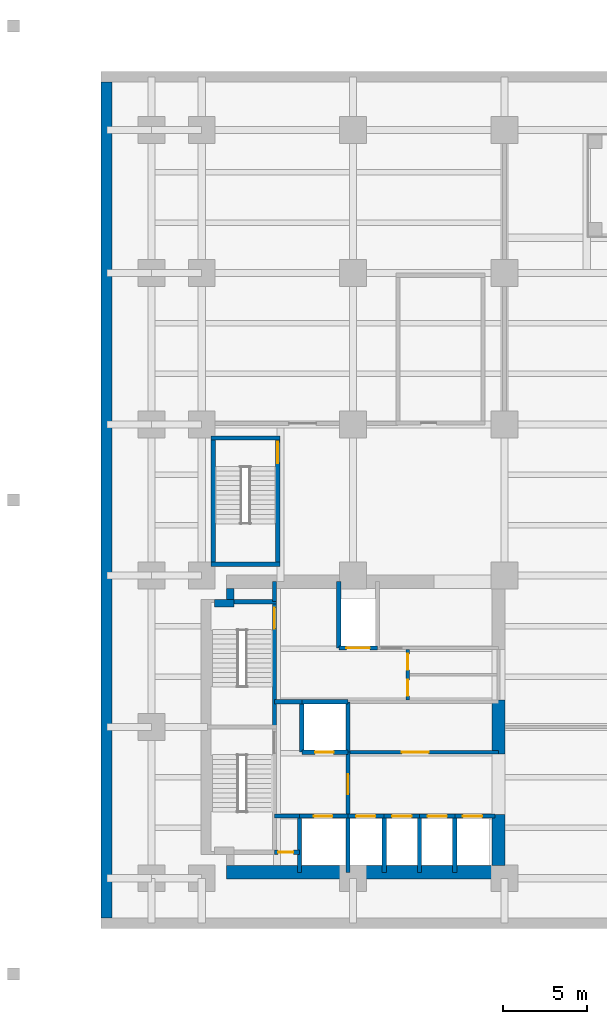
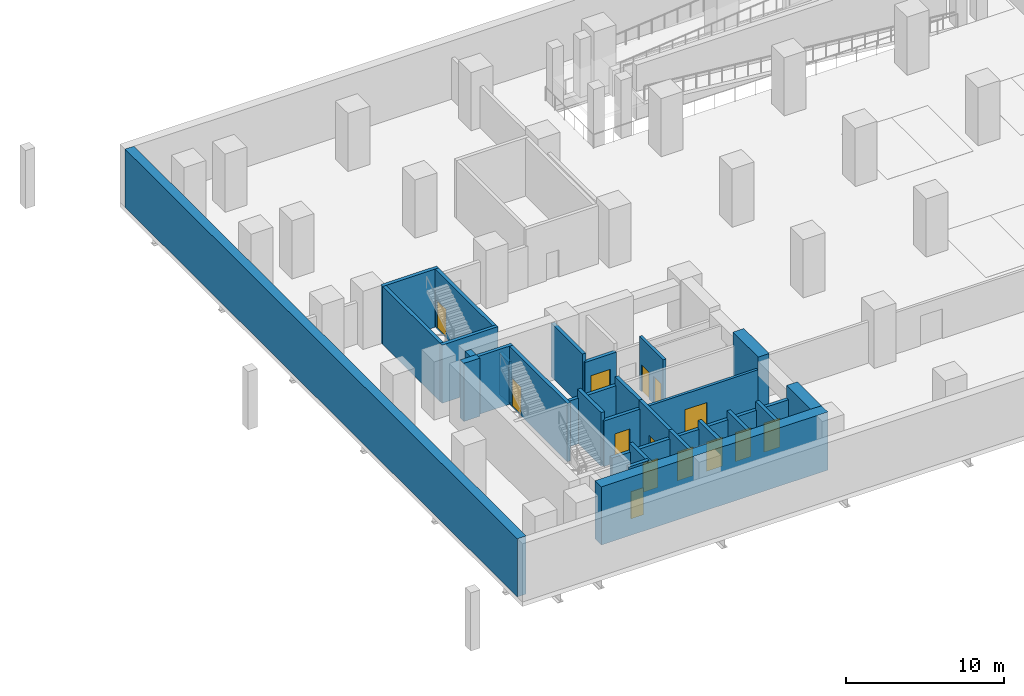
# One storey, part 5 of 10: 35 walls, 14 doors, 14 openings.
"""IFC4 building model written with IfcOpenShell, lengths in metres."""

from ifc_helpers import new_model, si_unit, direction, frame, frame_2d, origin, place, context, subcontext, project, spatial, rectangle, extrude, material, layer, layer_set, type_object, element, fill, save


model = new_model("IFC4")

# Units and contexts
model_context = context("Model", 3, precision=1e-05, world=origin(), true_north=direction((0.0, 1.0)))
body_context = subcontext(model_context, "Body", "Model", "MODEL_VIEW")
ifc_project = project(units=[si_unit("LENGTHUNIT", "METRE"), si_unit("AREAUNIT", "SQUARE_METRE"), si_unit("VOLUMEUNIT", "CUBIC_METRE"), si_unit("PLANEANGLEUNIT", "RADIAN"), si_unit("MASSUNIT", "GRAM", prefix="KILO")], contexts=[model_context])

# Site, building, storey
site_placement = place(None, origin())
site = spatial("IfcSite", under=ifc_project, at=site_placement, CompositionType="ELEMENT")
building_placement = place(site_placement, origin())
building = spatial("IfcBuilding", under=site, at=building_placement, Name="Mawjdan Bourse Tower", CompositionType="ELEMENT")
storey_placement = place(building_placement, frame((0.0, 0.0, -9.0)))
storey = spatial("IfcBuildingStorey", under=building, at=storey_placement, Name="B02", CompositionType="ELEMENT", Elevation=-9.0)

# Wall, opening, door
ifc_material_1 = material(Name="Gypsum Fireboard Assembly")
ifc_layer_1 = layer(ifc_material_1, 0.199951171875)
ifc_layer_set_1 = layer_set([ifc_layer_1], Name="Gypsum Fireboard Assembly")
wall_type_1 = type_object("IfcWallType", Name="WL-CMP-200", PredefinedType="PARTITIONING", material=ifc_layer_set_1)
wall_1_placement = place(storey_placement, frame((14.699951171875, 10.5, 0.0), z_axis=(0.0, 0.0, 1.0), x_axis=(1.0, 0.0, 0.0)))
wall_1 = element("IfcWall", 1, at=wall_1_placement, inside=storey, type_object=wall_type_1, Name="B02 Basement Switchroom South Wall", PredefinedType="PARTITIONING", context=body_context, shape_type="SweptSolid", body=[
    extrude(rectangle(XDim=8.949951171875, YDim=0.199951171875, at=frame_2d((4.47509765625, 0.0))), origin(), (0.0, 0.0, 1.0), 3.52294921875),
])
opening_1_placement = place(wall_1_placement, frame((3.199951171875, 0.0, 0.0)))
opening_1 = element("IfcOpeningElement", 2, at=opening_1_placement, cuts=wall_1, Name="Opening PD-B02-15", PredefinedType="OPENING", context=body_context, shape_type="SweptSolid", body=[
    extrude(rectangle(XDim=1.60009765625, YDim=2.300048828125, at=frame_2d((0.800048828125, 1.14990234375))), frame((0.0, 0.10986328125, 0.0), z_axis=(0.0, -1.0, 0.0), x_axis=(1.0, 0.0, 0.0)), (0.0, 0.0, 1.0), 0.219970703125),
])
ifc_material_2 = material(Name="Fire-Rated Acoustic Steel", Category="steel")
door_type_1 = type_object("IfcDoorType", Name="FD-PLT-1600", OperationType="DOUBLE_DOOR_SINGLE_SWING", PredefinedType="DOOR", material=ifc_material_2)
door_1_placement = place(opening_1_placement, frame((1.60009765625, 0.0, 0.0), z_axis=(0.0, 0.0, 1.0), x_axis=(-1.0, 0.0, 0.0)))
door_1 = element("IfcDoor", 3, at=door_1_placement, inside=storey, type_object=door_type_1, Name="B02 LV Switchroom Door PD-B02-15", OperationType="DOUBLE_DOOR_SINGLE_SWING", OverallHeight=2.300048828125, OverallWidth=1.60009765625, PredefinedType="DOOR", context=body_context, shape_type="SweptSolid", body=[
    extrude(rectangle(XDim=1.60009765625, YDim=2.300048828125, at=frame_2d((0.800048828125, 1.14990234375))), frame((0.0, 0.02490234375, 0.0), z_axis=(0.0, -1.0, 0.0), x_axis=(1.0, 0.0, 0.0)), (0.0, 0.0, 1.0), 0.050048828125),
])
fill(opening_1, door_1)

# Wall, openings, doors
wall_2_placement = place(storey_placement, frame((18.25, 13.60009765625, 0.0), z_axis=(0.0, 0.0, 1.0), x_axis=(0.0, 1.0, 0.0)))
wall_2 = element("IfcWall", 4, at=wall_2_placement, inside=storey, type_object=wall_type_1, Name="B02 Core Restroom West Wall", PredefinedType="PARTITIONING", context=body_context, shape_type="SweptSolid", body=[
    extrude(rectangle(XDim=3.0, YDim=0.199951171875, at=frame_2d((1.5, 0.0))), origin(), (0.0, 0.0, 1.0), 4.139892578125),
])
opening_2_placement = place(wall_2_placement, frame((0.25, 0.0, 0.0)))
opening_2 = element("IfcOpeningElement", 5, at=opening_2_placement, cuts=wall_2, Name="Opening D-B02-16", PredefinedType="OPENING", context=body_context, shape_type="SweptSolid", body=[
    extrude(rectangle(XDim=0.949951171875, YDim=2.10009765625, at=frame_2d((0.47509765625, 1.050048828125))), frame((0.0, 0.10986328125, 0.0), z_axis=(0.0, -1.0, 0.0), x_axis=(1.0, 0.0, 0.0)), (0.0, 0.0, 1.0), 0.219970703125),
])
opening_3_placement = place(wall_2_placement, frame((1.800048828125, 0.0, 0.0)))
opening_3 = element("IfcOpeningElement", 6, at=opening_3_placement, cuts=wall_2, Name="Opening D-B02-17", PredefinedType="OPENING", context=body_context, shape_type="SweptSolid", body=[
    extrude(rectangle(XDim=0.949951171875, YDim=2.10009765625, at=frame_2d((0.47509765625, 1.050048828125))), frame((0.0, 0.10986328125, 0.0), z_axis=(0.0, -1.0, 0.0), x_axis=(1.0, 0.0, 0.0)), (0.0, 0.0, 1.0), 0.219970703125),
])
ifc_material_3 = material(Name="Moisture-Resistant Laminate Timber", Category="wood")
door_type_2 = type_object("IfcDoorType", Name="DR-WET-0950", OperationType="NOTDEFINED", PredefinedType="DOOR", material=ifc_material_3)
door_2_placement = place(opening_2_placement, origin())
door_2 = element("IfcDoor", 7, at=door_2_placement, inside=storey, type_object=door_type_2, Name="B02 Accessible WC Entry Door D-B02-16", OperationType="SINGLE_SWING_RIGHT", OverallHeight=2.10009765625, OverallWidth=0.949951171875, PredefinedType="DOOR", context=body_context, shape_type="SweptSolid", body=[
    extrude(rectangle(XDim=0.949951171875, YDim=2.10009765625, at=frame_2d((0.47509765625, 1.050048828125))), frame((0.0, 0.02490234375, 0.0), z_axis=(0.0, -1.0, 0.0), x_axis=(1.0, 0.0, 0.0)), (0.0, 0.0, 1.0), 0.050048828125),
])
fill(opening_2, door_2)
door_3_placement = place(opening_3_placement, origin())
door_3 = element("IfcDoor", 8, at=door_3_placement, inside=storey, type_object=door_type_2, Name="B02 Core Restroom Entry Door D-B02-17", OperationType="SINGLE_SWING_LEFT", OverallHeight=2.10009765625, OverallWidth=0.949951171875, PredefinedType="DOOR", context=body_context, shape_type="SweptSolid", body=[
    extrude(rectangle(XDim=0.949951171875, YDim=2.10009765625, at=frame_2d((0.47509765625, 1.050048828125))), frame((0.0, 0.02490234375, 0.0), z_axis=(0.0, -1.0, 0.0), x_axis=(1.0, 0.0, 0.0)), (0.0, 0.0, 1.0), 0.050048828125),
])
fill(opening_3, door_3)

# Walls
ifc_material_4 = material(Name="Concrete C60/75", Category="concrete")
ifc_layer_2 = layer(ifc_material_4, 0.449951171875)
ifc_layer_set_2 = layer_set([ifc_layer_2], Name="Concrete C60/75")
wall_type_2 = type_object("IfcWallType", Name="WL-CORE-450", PredefinedType="SHEAR", material=ifc_layer_set_2)
wall_3_placement = place(storey_placement, frame((6.75, 19.35009765625, 0.0), z_axis=(0.0, 0.0, 1.0), x_axis=(1.0, 0.0, 0.0)))
element("IfcWall", 9, at=wall_3_placement, inside=storey, type_object=wall_type_2, Name="B02 Rear Core Shear Wall NW-X", PredefinedType="SHEAR", context=body_context, shape_type="SweptSolid", body=[
    extrude(rectangle(XDim=1.175048828125, YDim=0.449951171875, at=frame_2d((0.58740234375, 0.0))), origin(), (0.0, 0.0, 1.0), 4.5),
])
wall_4_placement = place(storey_placement, frame((7.699951171875, 19.574951171875, 0.0), z_axis=(0.0, 0.0, 1.0), x_axis=(0.0, 1.0, 0.0)))
element("IfcWall", 10, at=wall_4_placement, inside=storey, type_object=wall_type_2, Name="B02 Rear Core Shear Wall NW-Y", PredefinedType="SHEAR", context=body_context, shape_type="SweptSolid", body=[
    extrude(rectangle(XDim=0.675048828125, YDim=0.449951171875, at=frame_2d((0.33740234375, 0.0))), origin(), (0.0, 0.0, 1.0), 4.5),
])
ifc_material_5 = material(Name="Concrete C80/95", Category="concrete")
ifc_layer_3 = layer(ifc_material_5, 0.800048828125)
ifc_layer_set_3 = layer_set([ifc_layer_3], Name="Concrete C80/95")
wall_type_3 = type_object("IfcWallType", Name="WL-CORE-800", PredefinedType="SHEAR", material=ifc_layer_set_3)
wall_5_placement = place(storey_placement, frame((7.47509765625, 3.35009765625, 0.0), z_axis=(0.0, 0.0, 1.0), x_axis=(1.0, 0.0, 0.0)))
element("IfcWall", 11, at=wall_5_placement, inside=storey, type_object=wall_type_3, Name="B02 Rear Core Shear Wall S", PredefinedType="SHEAR", context=body_context, shape_type="SweptSolid", body=[
    extrude(rectangle(XDim=16.574951171875, YDim=0.800048828125, at=frame_2d((8.28759765625, 0.0))), origin(), (0.0, 0.0, 1.0), 4.5),
])
wall_6_placement = place(storey_placement, frame((23.64990234375, 3.75, 0.0), z_axis=(0.0, 0.0, 1.0), x_axis=(0.0, 1.0, 0.0)))
element("IfcWall", 12, at=wall_6_placement, inside=storey, type_object=wall_type_3, Name="B02 Rear Core Shear Wall E1", PredefinedType="SHEAR", context=body_context, shape_type="SweptSolid", body=[
    extrude(rectangle(XDim=3.050048828125, YDim=0.800048828125, at=frame_2d((1.52490234375, 0.0))), origin(), (0.0, 0.0, 1.0), 4.5),
])
wall_7_placement = place(storey_placement, frame((23.64990234375, 10.39990234375, 0.0), z_axis=(0.0, 0.0, 1.0), x_axis=(0.0, 1.0, 0.0)))
element("IfcWall", 13, at=wall_7_placement, inside=storey, type_object=wall_type_3, Name="B02 Rear Core Shear Wall E2", PredefinedType="SHEAR", context=body_context, shape_type="SweptSolid", body=[
    extrude(rectangle(XDim=3.2001953125, YDim=0.800048828125, at=frame_2d((1.60009765625, 0.0))), origin(), (0.0, 0.0, 1.0), 4.5),
])
ifc_layer_4 = layer(ifc_material_4, 0.64990234375)
ifc_layer_set_4 = layer_set([ifc_layer_4], Name="Concrete C60/75")
wall_type_4 = type_object("IfcWallType", Name="WL-RET-650", PredefinedType="USERDEFINED", material=ifc_layer_set_4)
wall_8_placement = place(storey_placement, frame((0.324951171875, 50.35009765625, 0.0), z_axis=(0.0, 0.0, 1.0), x_axis=(0.0, -1.0, 0.0)))
element("IfcWall", 14, at=wall_8_placement, inside=storey, type_object=wall_type_4, Name="B02 Perimeter Diaphragm Retaining Wall W", ObjectType="RETAINING", PredefinedType="USERDEFINED", context=body_context, shape_type="SweptSolid", body=[
    extrude(rectangle(XDim=49.7001953125, YDim=0.64990234375, at=frame_2d((24.85009765625, 0.0))), origin(), (0.0, 0.0, 1.0), 4.5),
])

# Wall, opening, door
ifc_material_6 = material(Name="Concrete C50/60", Category="concrete")
ifc_layer_5 = layer(ifc_material_6, 0.25)
ifc_layer_set_5 = layer_set([ifc_layer_5], Name="Concrete C50/60")
wall_type_5 = type_object("IfcWallType", Name="WL-SHFT-250", PredefinedType="PARTITIONING", material=ifc_layer_set_5)
wall_9_placement = place(storey_placement, frame((10.330078125, 4.550048828125, 0.0), z_axis=(0.0, 0.0, 1.0), x_axis=(1.0, 0.0, 0.0)))
wall_9 = element("IfcWall", 15, at=wall_9_placement, inside=storey, type_object=wall_type_5, Name="B02 SW Riser North Wall", PredefinedType="PARTITIONING", context=body_context, shape_type="SweptSolid", body=[
    extrude(rectangle(XDim=1.489990234375, YDim=0.25, at=frame_2d((0.7451171875, 0.0))), origin(), (0.0, 0.0, 1.0), 4.139892578125),
])
opening_4_placement = place(wall_9_placement, frame((0.219970703125, 0.0, 0.0)))
opening_4 = element("IfcOpeningElement", 16, at=opening_4_placement, cuts=wall_9, Name="Opening RD-B02-03", PredefinedType="OPENING", context=body_context, shape_type="SweptSolid", body=[
    extrude(rectangle(XDim=0.89990234375, YDim=2.10009765625, at=frame_2d((0.449951171875, 1.050048828125))), frame((0.0, 0.135009765625, 0.0), z_axis=(0.0, -1.0, 0.0), x_axis=(1.0, 0.0, 0.0)), (0.0, 0.0, 1.0), 0.27001953125),
])
ifc_material_7 = material(Name="Fire-Rated Steel Access Leaf", Category="steel")
door_type_3 = type_object("IfcDoorType", Name="FD-RSR-0900", OperationType="NOTDEFINED", PredefinedType="TRAPDOOR", material=ifc_material_7)
door_4_placement = place(opening_4_placement, origin())
door_4 = element("IfcDoor", 17, at=door_4_placement, inside=storey, type_object=door_type_3, Name="B02 Electrical Riser Access Door RD-B02-03", OperationType="SINGLE_SWING_LEFT", OverallHeight=2.10009765625, OverallWidth=0.89990234375, PredefinedType="TRAPDOOR", context=body_context, shape_type="SweptSolid", body=[
    extrude(rectangle(XDim=0.89990234375, YDim=2.10009765625, at=frame_2d((0.449951171875, 1.050048828125))), frame((0.0, 0.02490234375, 0.0), z_axis=(0.0, -1.0, 0.0), x_axis=(1.0, 0.0, 0.0)), (0.0, 0.0, 1.0), 0.050048828125),
])
fill(opening_4, door_4)

# Walls
wall_10_placement = place(storey_placement, frame((11.820068359375, 3.35009765625, 0.0), z_axis=(0.0, 0.0, 1.0), x_axis=(0.0, 1.0, 0.0)))
element("IfcWall", 18, at=wall_10_placement, inside=storey, type_object=wall_type_5, Name="B02 SW Riser & FFL01 West Wall", PredefinedType="PARTITIONING", context=body_context, shape_type="SweptSolid", body=[
    extrude(rectangle(XDim=3.349853515625, YDim=0.25, at=frame_2d((1.6748046875, 0.0))), origin(), (0.0, 0.0, 1.0), 4.139892578125),
])
wall_11_placement = place(storey_placement, frame((10.330078125, 19.449951171875, 0.0), z_axis=(0.0, 0.0, 1.0), x_axis=(0.0, 1.0, 0.0)))
element("IfcWall", 19, at=wall_11_placement, inside=storey, type_object=wall_type_5, Name="B02 NW Riser East Wall", PredefinedType="PARTITIONING", context=body_context, shape_type="SweptSolid", body=[
    extrude(rectangle(XDim=1.199951171875, YDim=0.25, at=frame_2d((0.60009765625, 0.0))), origin(), (0.0, 0.0, 1.0), 3.199951171875),
])

# Wall, opening, door
wall_12_placement = place(storey_placement, frame((11.820068359375, 6.699951171875, 0.0), z_axis=(0.0, 0.0, 1.0), x_axis=(1.0, 0.0, 0.0)))
wall_12 = element("IfcWall", 20, at=wall_12_placement, inside=storey, type_object=wall_type_5, Name="B02 FFL-01 Front Shaft Wall", PredefinedType="PARTITIONING", context=body_context, shape_type="SweptSolid", body=[
    extrude(rectangle(XDim=2.8798828125, YDim=0.25, at=frame_2d((1.43994140625, 0.0))), origin(), (0.0, 0.0, 1.0), 3.52294921875),
])
opening_5_placement = place(wall_12_placement, frame((0.85009765625, 0.0, 0.0)))
opening_5 = element("IfcOpeningElement", 21, at=opening_5_placement, cuts=wall_12, Name="Opening LD-B02-05", PredefinedType="OPENING", context=body_context, shape_type="SweptSolid", body=[
    extrude(rectangle(XDim=1.10009765625, YDim=2.25, at=frame_2d((0.550048828125, 1.125))), frame((0.0, 0.135009765625, 0.0), z_axis=(0.0, -1.0, 0.0), x_axis=(1.0, 0.0, 0.0)), (0.0, 0.0, 1.0), 0.27001953125),
])
ifc_material_8 = material(Name="Brushed Stainless Steel", Category="steel")
door_type_4 = type_object("IfcDoorType", Name="LD-FFL-1100", OperationType="DOUBLE_DOOR_SLIDING", PredefinedType="DOOR", material=ifc_material_8)
door_5_placement = place(opening_5_placement, origin())
door_5 = element("IfcDoor", 22, at=door_5_placement, inside=storey, type_object=door_type_4, Name="B02 Firefighting Lift FFL-01 Landing Door LD-B02-05", OperationType="DOUBLE_DOOR_SLIDING", OverallHeight=2.25, OverallWidth=1.10009765625, PredefinedType="DOOR", context=body_context, shape_type="SweptSolid", body=[
    extrude(rectangle(XDim=1.10009765625, YDim=2.25, at=frame_2d((0.550048828125, 1.125))), frame((0.0, 0.02490234375, 0.0), z_axis=(0.0, -1.0, 0.0), x_axis=(1.0, 0.0, 0.0)), (0.0, 0.0, 1.0), 0.050048828125),
])
fill(opening_5, door_5)

# Wall
wall_13_placement = place(storey_placement, frame((14.699951171875, 3.35009765625, 0.0), z_axis=(0.0, 0.0, 1.0), x_axis=(0.0, 1.0, 0.0)))
element("IfcWall", 23, at=wall_13_placement, inside=storey, type_object=wall_type_5, Name="B02 FFL-01 East Shaft Wall", PredefinedType="PARTITIONING", context=body_context, shape_type="SweptSolid", body=[
    extrude(rectangle(XDim=3.349853515625, YDim=0.25, at=frame_2d((1.6748046875, 0.0))), origin(), (0.0, 0.0, 1.0), 4.139892578125),
])

# Wall, opening, door
wall_14_placement = place(storey_placement, frame((11.949951171875, 10.5, 0.0), z_axis=(0.0, 0.0, 1.0), x_axis=(1.0, 0.0, 0.0)))
wall_14 = element("IfcWall", 24, at=wall_14_placement, inside=storey, type_object=wall_type_5, Name="B02 FFL-02 Front Shaft Wall", PredefinedType="PARTITIONING", context=body_context, shape_type="SweptSolid", body=[
    extrude(rectangle(XDim=2.75, YDim=0.25, at=frame_2d((1.375, 0.0))), origin(), (0.0, 0.0, 1.0), 3.52294921875),
])
opening_6_placement = place(wall_14_placement, frame((0.800048828125, 0.0, 0.0)))
opening_6 = element("IfcOpeningElement", 25, at=opening_6_placement, cuts=wall_14, Name="Opening LD-B02-06", PredefinedType="OPENING", context=body_context, shape_type="SweptSolid", body=[
    extrude(rectangle(XDim=1.10009765625, YDim=2.25, at=frame_2d((0.550048828125, 1.125))), frame((0.0, 0.135009765625, 0.0), z_axis=(0.0, -1.0, 0.0), x_axis=(1.0, 0.0, 0.0)), (0.0, 0.0, 1.0), 0.27001953125),
])
door_6_placement = place(opening_6_placement, origin())
door_6 = element("IfcDoor", 26, at=door_6_placement, inside=storey, type_object=door_type_4, Name="B02 Firefighting Lift FFL-02 Landing Door LD-B02-06", OperationType="DOUBLE_DOOR_SLIDING", OverallHeight=2.25, OverallWidth=1.10009765625, PredefinedType="DOOR", context=body_context, shape_type="SweptSolid", body=[
    extrude(rectangle(XDim=1.10009765625, YDim=2.25, at=frame_2d((0.550048828125, 1.125))), frame((0.0, 0.02490234375, 0.0), z_axis=(0.0, -1.0, 0.0), x_axis=(1.0, 0.0, 0.0)), (0.0, 0.0, 1.0), 0.050048828125),
])
fill(opening_6, door_6)

# Walls
wall_15_placement = place(storey_placement, frame((11.949951171875, 10.5, 0.0), z_axis=(0.0, 0.0, 1.0), x_axis=(0.0, 1.0, 0.0)))
element("IfcWall", 27, at=wall_15_placement, inside=storey, type_object=wall_type_5, Name="B02 FFL-02 West Shaft Wall", PredefinedType="PARTITIONING", context=body_context, shape_type="SweptSolid", body=[
    extrude(rectangle(XDim=3.0, YDim=0.25, at=frame_2d((1.5, 0.0))), origin(), (0.0, 0.0, 1.0), 4.139892578125),
])
wall_16_placement = place(storey_placement, frame((11.949951171875, 13.5, 0.0), z_axis=(0.0, 0.0, 1.0), x_axis=(1.0, 0.0, 0.0)))
element("IfcWall", 28, at=wall_16_placement, inside=storey, type_object=wall_type_5, Name="B02 FFL-02 North Shaft Wall", PredefinedType="PARTITIONING", context=body_context, shape_type="SweptSolid", body=[
    extrude(rectangle(XDim=2.75, YDim=0.25, at=frame_2d((1.375, 0.0))), origin(), (0.0, 0.0, 1.0), 3.52294921875),
])
wall_17_placement = place(storey_placement, frame((14.699951171875, 10.5, 0.0), z_axis=(0.0, 0.0, 1.0), x_axis=(0.0, 1.0, 0.0)))
element("IfcWall", 29, at=wall_17_placement, inside=storey, type_object=wall_type_5, Name="B02 FFL-02 East Shaft Wall", PredefinedType="PARTITIONING", context=body_context, shape_type="SweptSolid", body=[
    extrude(rectangle(XDim=3.0, YDim=0.25, at=frame_2d((1.5, 0.0))), origin(), (0.0, 0.0, 1.0), 4.139892578125),
])

# Wall, opening, door
wall_18_placement = place(storey_placement, frame((14.699951171875, 6.699951171875, 0.0), z_axis=(0.0, 0.0, 1.0), x_axis=(0.0, 1.0, 0.0)))
wall_18 = element("IfcWall", 30, at=wall_18_placement, inside=storey, type_object=wall_type_5, Name="B02 Firefighting Lobby East Compartment Wall", PredefinedType="PARTITIONING", context=body_context, shape_type="SweptSolid", body=[
    extrude(rectangle(XDim=3.800048828125, YDim=0.25, at=frame_2d((1.89990234375, 0.0))), origin(), (0.0, 0.0, 1.0), 4.139892578125),
])
opening_7_placement = place(wall_18_placement, frame((1.300048828125, 0.0, 0.0)))
opening_7 = element("IfcOpeningElement", 31, at=opening_7_placement, cuts=wall_18, Name="Opening FD-B02-07", PredefinedType="OPENING", context=body_context, shape_type="SweptSolid", body=[
    extrude(rectangle(XDim=1.199951171875, YDim=2.199951171875, at=frame_2d((0.60009765625, 1.10009765625))), frame((0.0, 0.135009765625, 0.0), z_axis=(0.0, -1.0, 0.0), x_axis=(1.0, 0.0, 0.0)), (0.0, 0.0, 1.0), 0.27001953125),
])
ifc_material_9 = material(Name="Fire-Rated Steel Leaf", Category="steel")
door_type_5 = type_object("IfcDoorType", Name="FD-FFL-1200", OperationType="NOTDEFINED", PredefinedType="DOOR", material=ifc_material_9)
door_7_placement = place(opening_7_placement, origin())
door_7 = element("IfcDoor", 32, at=door_7_placement, inside=storey, type_object=door_type_5, Name="B02 Firefighting Lobby East Smoke Door FD-B02-07", OperationType="SINGLE_SWING_LEFT", OverallHeight=2.199951171875, OverallWidth=1.199951171875, PredefinedType="DOOR", context=body_context, shape_type="SweptSolid", body=[
    extrude(rectangle(XDim=1.199951171875, YDim=2.199951171875, at=frame_2d((0.60009765625, 1.10009765625))), frame((0.0, 0.02490234375, 0.0), z_axis=(0.0, -1.0, 0.0), x_axis=(1.0, 0.0, 0.0)), (0.0, 0.0, 1.0), 0.050048828125),
])
fill(opening_7, door_7)

# Walls
wall_19_placement = place(storey_placement, frame((10.330078125, 13.5, 0.0), z_axis=(0.0, 0.0, 1.0), x_axis=(1.0, 0.0, 0.0)))
element("IfcWall", 33, at=wall_19_placement, inside=storey, type_object=wall_type_5, Name="B02 Firefighting Lobby North Compartment Wall", PredefinedType="PARTITIONING", context=body_context, shape_type="SweptSolid", body=[
    extrude(rectangle(XDim=1.619873046875, YDim=0.25, at=frame_2d((0.81005859375, 0.0))), origin(), (0.0, 0.0, 1.0), 3.52294921875),
])
wall_20_placement = place(storey_placement, frame((10.330078125, 6.699951171875, 0.0), z_axis=(0.0, 0.0, 1.0), x_axis=(1.0, 0.0, 0.0)))
element("IfcWall", 34, at=wall_20_placement, inside=storey, type_object=wall_type_5, Name="B02 Firefighting Lobby South Closure Wall", PredefinedType="PARTITIONING", context=body_context, shape_type="SweptSolid", body=[
    extrude(rectangle(XDim=1.489990234375, YDim=0.25, at=frame_2d((0.7451171875, 0.0))), origin(), (0.0, 0.0, 1.0), 3.52294921875),
])

# Wall, opening, door
wall_21_placement = place(storey_placement, frame((14.14990234375, 16.699951171875, 0.0), z_axis=(0.0, 0.0, 1.0), x_axis=(1.0, 0.0, 0.0)))
wall_21 = element("IfcWall", 35, at=wall_21_placement, inside=storey, type_object=wall_type_5, Name="B02 SVL-01 Front Shaft Wall", PredefinedType="PARTITIONING", context=body_context, shape_type="SweptSolid", body=[
    extrude(rectangle(XDim=2.300048828125, YDim=0.25, at=frame_2d((1.14990234375, 0.0))), origin(), (0.0, 0.0, 1.0), 3.52294921875),
])
opening_8_placement = place(wall_21_placement, frame((0.449951171875, 0.0, 0.0)))
opening_8 = element("IfcOpeningElement", 36, at=opening_8_placement, cuts=wall_21, Name="Opening LD-B02-09", PredefinedType="OPENING", context=body_context, shape_type="SweptSolid", body=[
    extrude(rectangle(XDim=1.39990234375, YDim=2.35009765625, at=frame_2d((0.699951171875, 1.175048828125))), frame((0.0, 0.135009765625, 0.0), z_axis=(0.0, -1.0, 0.0), x_axis=(1.0, 0.0, 0.0)), (0.0, 0.0, 1.0), 0.27001953125),
])
ifc_material_10 = material(Name="Heavy-Duty Stainless Steel", Category="steel")
door_type_6 = type_object("IfcDoorType", Name="LD-SRV-1400", OperationType="DOUBLE_DOOR_SLIDING", PredefinedType="DOOR", material=ifc_material_10)
door_8_placement = place(opening_8_placement, origin())
door_8 = element("IfcDoor", 37, at=door_8_placement, inside=storey, type_object=door_type_6, Name="B02 Service Lift SVL-01 Landing Door LD-B02-09", OperationType="DOUBLE_DOOR_SLIDING", OverallHeight=2.35009765625, OverallWidth=1.39990234375, PredefinedType="DOOR", context=body_context, shape_type="SweptSolid", body=[
    extrude(rectangle(XDim=1.39990234375, YDim=2.35009765625, at=frame_2d((0.699951171875, 1.175048828125))), frame((0.0, 0.02490234375, 0.0), z_axis=(0.0, -1.0, 0.0), x_axis=(1.0, 0.0, 0.0)), (0.0, 0.0, 1.0), 0.050048828125),
])
fill(opening_8, door_8)

# Wall
wall_22_placement = place(storey_placement, frame((14.14990234375, 16.699951171875, 0.0), z_axis=(0.0, 0.0, 1.0), x_axis=(0.0, 1.0, 0.0)))
element("IfcWall", 38, at=wall_22_placement, inside=storey, type_object=wall_type_5, Name="B02 SVL-01 West Shaft Wall", PredefinedType="PARTITIONING", context=body_context, shape_type="SweptSolid", body=[
    extrude(rectangle(XDim=3.949951171875, YDim=0.25, at=frame_2d((1.97509765625, 0.0))), origin(), (0.0, 0.0, 1.0), 4.139892578125),
])

# Wall, opening, door
wall_23_placement = place(storey_placement, frame((14.699951171875, 6.699951171875, 0.0), z_axis=(0.0, 0.0, 1.0), x_axis=(1.0, 0.0, 0.0)))
wall_23 = element("IfcWall", 39, at=wall_23_placement, inside=storey, type_object=wall_type_5, Name="B02 PL-04 Front Wall", PredefinedType="PARTITIONING", context=body_context, shape_type="SweptSolid", body=[
    extrude(rectangle(XDim=2.150146484375, YDim=0.25, at=frame_2d((1.0751953125, 0.0))), origin(), (0.0, 0.0, 1.0), 3.52294921875),
])
opening_9_placement = place(wall_23_placement, frame((0.47998046875, 0.0, 0.0)))
opening_9 = element("IfcOpeningElement", 40, at=opening_9_placement, cuts=wall_23, Name="Opening LD-B02-11", PredefinedType="OPENING", context=body_context, shape_type="SweptSolid", body=[
    extrude(rectangle(XDim=1.14990234375, YDim=2.25, at=frame_2d((0.574951171875, 1.125))), frame((0.0, 0.135009765625, 0.0), z_axis=(0.0, -1.0, 0.0), x_axis=(1.0, 0.0, 0.0)), (0.0, 0.0, 1.0), 0.27001953125),
])
door_type_7 = type_object("IfcDoorType", Name="LD-PAS-1150", OperationType="DOUBLE_DOOR_SLIDING", PredefinedType="DOOR", material=ifc_material_8)
door_9_placement = place(opening_9_placement, origin())
door_9 = element("IfcDoor", 41, at=door_9_placement, inside=storey, type_object=door_type_7, Name="B02 Lift PL-04 Landing Door LD-B02-11", OperationType="DOUBLE_DOOR_SLIDING", OverallHeight=2.25, OverallWidth=1.14990234375, PredefinedType="DOOR", context=body_context, shape_type="SweptSolid", body=[
    extrude(rectangle(XDim=1.14990234375, YDim=2.25, at=frame_2d((0.574951171875, 1.125))), frame((0.0, 0.02490234375, 0.0), z_axis=(0.0, -1.0, 0.0), x_axis=(1.0, 0.0, 0.0)), (0.0, 0.0, 1.0), 0.050048828125),
])
fill(opening_9, door_9)

# Wall
wall_24_placement = place(storey_placement, frame((16.85009765625, 3.35009765625, 0.0), z_axis=(0.0, 0.0, 1.0), x_axis=(0.0, 1.0, 0.0)))
element("IfcWall", 42, at=wall_24_placement, inside=storey, type_object=wall_type_5, Name="B02 PL-04 Divider Wall", PredefinedType="PARTITIONING", context=body_context, shape_type="SweptSolid", body=[
    extrude(rectangle(XDim=3.349853515625, YDim=0.25, at=frame_2d((1.6748046875, 0.0))), origin(), (0.0, 0.0, 1.0), 4.139892578125),
])

# Wall, opening, door
wall_25_placement = place(storey_placement, frame((16.85009765625, 6.699951171875, 0.0), z_axis=(0.0, 0.0, 1.0), x_axis=(1.0, 0.0, 0.0)))
wall_25 = element("IfcWall", 43, at=wall_25_placement, inside=storey, type_object=wall_type_5, Name="B02 PL-01 Front Wall", PredefinedType="PARTITIONING", context=body_context, shape_type="SweptSolid", body=[
    extrude(rectangle(XDim=2.099853515625, YDim=0.25, at=frame_2d((1.0498046875, 0.0))), origin(), (0.0, 0.0, 1.0), 3.52294921875),
])
opening_10_placement = place(wall_25_placement, frame((0.47998046875, 0.0, 0.0)))
opening_10 = element("IfcOpeningElement", 44, at=opening_10_placement, cuts=wall_25, Name="Opening LD-B02-12", PredefinedType="OPENING", context=body_context, shape_type="SweptSolid", body=[
    extrude(rectangle(XDim=1.14990234375, YDim=2.25, at=frame_2d((0.574951171875, 1.125))), frame((0.0, 0.135009765625, 0.0), z_axis=(0.0, -1.0, 0.0), x_axis=(1.0, 0.0, 0.0)), (0.0, 0.0, 1.0), 0.27001953125),
])
door_10_placement = place(opening_10_placement, origin())
door_10 = element("IfcDoor", 45, at=door_10_placement, inside=storey, type_object=door_type_7, Name="B02 Lift PL-01 Landing Door LD-B02-12", OperationType="DOUBLE_DOOR_SLIDING", OverallHeight=2.25, OverallWidth=1.14990234375, PredefinedType="DOOR", context=body_context, shape_type="SweptSolid", body=[
    extrude(rectangle(XDim=1.14990234375, YDim=2.25, at=frame_2d((0.574951171875, 1.125))), frame((0.0, 0.02490234375, 0.0), z_axis=(0.0, -1.0, 0.0), x_axis=(1.0, 0.0, 0.0)), (0.0, 0.0, 1.0), 0.050048828125),
])
fill(opening_10, door_10)

# Wall
wall_26_placement = place(storey_placement, frame((18.949951171875, 3.35009765625, 0.0), z_axis=(0.0, 0.0, 1.0), x_axis=(0.0, 1.0, 0.0)))
element("IfcWall", 46, at=wall_26_placement, inside=storey, type_object=wall_type_5, Name="B02 PL-01 Divider Wall", PredefinedType="PARTITIONING", context=body_context, shape_type="SweptSolid", body=[
    extrude(rectangle(XDim=3.349853515625, YDim=0.25, at=frame_2d((1.6748046875, 0.0))), origin(), (0.0, 0.0, 1.0), 4.139892578125),
])

# Wall, opening, door
wall_27_placement = place(storey_placement, frame((18.949951171875, 6.699951171875, 0.0), z_axis=(0.0, 0.0, 1.0), x_axis=(1.0, 0.0, 0.0)))
wall_27 = element("IfcWall", 47, at=wall_27_placement, inside=storey, type_object=wall_type_5, Name="B02 PL-02 Front Wall", PredefinedType="PARTITIONING", context=body_context, shape_type="SweptSolid", body=[
    extrude(rectangle(XDim=2.10009765625, YDim=0.25, at=frame_2d((1.050048828125, 0.0))), origin(), (0.0, 0.0, 1.0), 3.52294921875),
])
opening_11_placement = place(wall_27_placement, frame((0.47998046875, 0.0, 0.0)))
opening_11 = element("IfcOpeningElement", 48, at=opening_11_placement, cuts=wall_27, Name="Opening LD-B02-13", PredefinedType="OPENING", context=body_context, shape_type="SweptSolid", body=[
    extrude(rectangle(XDim=1.14990234375, YDim=2.25, at=frame_2d((0.574951171875, 1.125))), frame((0.0, 0.135009765625, 0.0), z_axis=(0.0, -1.0, 0.0), x_axis=(1.0, 0.0, 0.0)), (0.0, 0.0, 1.0), 0.27001953125),
])
door_11_placement = place(opening_11_placement, origin())
door_11 = element("IfcDoor", 49, at=door_11_placement, inside=storey, type_object=door_type_7, Name="B02 Lift PL-02 Landing Door LD-B02-13", OperationType="DOUBLE_DOOR_SLIDING", OverallHeight=2.25, OverallWidth=1.14990234375, PredefinedType="DOOR", context=body_context, shape_type="SweptSolid", body=[
    extrude(rectangle(XDim=1.14990234375, YDim=2.25, at=frame_2d((0.574951171875, 1.125))), frame((0.0, 0.02490234375, 0.0), z_axis=(0.0, -1.0, 0.0), x_axis=(1.0, 0.0, 0.0)), (0.0, 0.0, 1.0), 0.050048828125),
])
fill(opening_11, door_11)

# Wall
wall_28_placement = place(storey_placement, frame((21.050048828125, 3.35009765625, 0.0), z_axis=(0.0, 0.0, 1.0), x_axis=(0.0, 1.0, 0.0)))
element("IfcWall", 50, at=wall_28_placement, inside=storey, type_object=wall_type_5, Name="B02 PL-02 Divider Wall", PredefinedType="PARTITIONING", context=body_context, shape_type="SweptSolid", body=[
    extrude(rectangle(XDim=3.349853515625, YDim=0.25, at=frame_2d((1.6748046875, 0.0))), origin(), (0.0, 0.0, 1.0), 4.139892578125),
])

# Wall, opening, door
wall_29_placement = place(storey_placement, frame((21.050048828125, 6.699951171875, 0.0), z_axis=(0.0, 0.0, 1.0), x_axis=(1.0, 0.0, 0.0)))
wall_29 = element("IfcWall", 51, at=wall_29_placement, inside=storey, type_object=wall_type_5, Name="B02 PL-03 Front Wall", PredefinedType="PARTITIONING", context=body_context, shape_type="SweptSolid", body=[
    extrude(rectangle(XDim=2.39990234375, YDim=0.25, at=frame_2d((1.199951171875, 0.0))), origin(), (0.0, 0.0, 1.0), 3.52294921875),
])
opening_12_placement = place(wall_29_placement, frame((0.47998046875, 0.0, 0.0)))
opening_12 = element("IfcOpeningElement", 52, at=opening_12_placement, cuts=wall_29, Name="Opening LD-B02-14", PredefinedType="OPENING", context=body_context, shape_type="SweptSolid", body=[
    extrude(rectangle(XDim=1.14990234375, YDim=2.25, at=frame_2d((0.574951171875, 1.125))), frame((0.0, 0.135009765625, 0.0), z_axis=(0.0, -1.0, 0.0), x_axis=(1.0, 0.0, 0.0)), (0.0, 0.0, 1.0), 0.27001953125),
])
door_12_placement = place(opening_12_placement, origin())
door_12 = element("IfcDoor", 53, at=door_12_placement, inside=storey, type_object=door_type_7, Name="B02 Lift PL-03 Landing Door LD-B02-14", OperationType="DOUBLE_DOOR_SLIDING", OverallHeight=2.25, OverallWidth=1.14990234375, PredefinedType="DOOR", context=body_context, shape_type="SweptSolid", body=[
    extrude(rectangle(XDim=1.14990234375, YDim=2.25, at=frame_2d((0.574951171875, 1.125))), frame((0.0, 0.02490234375, 0.0), z_axis=(0.0, -1.0, 0.0), x_axis=(1.0, 0.0, 0.0)), (0.0, 0.0, 1.0), 0.050048828125),
])
fill(opening_12, door_12)

# Wall
ifc_layer_6 = layer(ifc_material_6, 0.25)
ifc_layer_set_6 = layer_set([ifc_layer_6], Name="Concrete C50/60")
wall_type_6 = type_object("IfcWallType", Name="WL-STRW-250", PredefinedType="SHEAR", material=ifc_layer_set_6)
wall_30_placement = place(storey_placement, frame((7.699951171875, 19.449951171875, 0.0), z_axis=(0.0, 0.0, 1.0), x_axis=(1.0, 0.0, 0.0)))
element("IfcWall", 54, at=wall_30_placement, inside=storey, type_object=wall_type_6, Name="B02 Stairwell ST2 North Shaft Wall", PredefinedType="SHEAR", context=body_context, shape_type="SweptSolid", body=[
    extrude(rectangle(XDim=2.755126953125, YDim=0.25, at=frame_2d((1.37744140625, 0.0))), origin(), (0.0, 0.0, 1.0), 4.5),
])

# Wall, opening, door
wall_31_placement = place(storey_placement, frame((10.330078125, 12.0, 0.0), z_axis=(0.0, 0.0, 1.0), x_axis=(0.0, 1.0, 0.0)))
wall_31 = element("IfcWall", 55, at=wall_31_placement, inside=storey, type_object=wall_type_6, Name="B02 Stairwell ST2 East Enclosure Wall", PredefinedType="SHEAR", context=body_context, shape_type="SweptSolid", body=[
    extrude(rectangle(XDim=7.449951171875, YDim=0.25, at=frame_2d((3.72509765625, 0.0))), origin(), (0.0, 0.0, 1.0), 4.5),
])
opening_13_placement = place(wall_31_placement, frame((5.85009765625, 0.0, 0.0)))
opening_13 = element("IfcOpeningElement", 56, at=opening_13_placement, cuts=wall_31, Name="Opening SD-B02-02", PredefinedType="OPENING", context=body_context, shape_type="SweptSolid", body=[
    extrude(rectangle(XDim=1.25, YDim=2.199951171875, at=frame_2d((0.625, 1.10009765625))), frame((0.0, 0.135009765625, 0.0), z_axis=(0.0, -1.0, 0.0), x_axis=(1.0, 0.0, 0.0)), (0.0, 0.0, 1.0), 0.27001953125),
])
door_type_8 = type_object("IfcDoorType", Name="FD-ST-1250", OperationType="NOTDEFINED", PredefinedType="DOOR", material=ifc_material_9)
door_13_placement = place(opening_13_placement, origin())
door_13 = element("IfcDoor", 57, at=door_13_placement, inside=storey, type_object=door_type_8, Name="B02 Exit Stair ST2 Fire Door SD-B02-02", OperationType="SINGLE_SWING_RIGHT", OverallHeight=2.199951171875, OverallWidth=1.25, PredefinedType="DOOR", context=body_context, shape_type="SweptSolid", body=[
    extrude(rectangle(XDim=1.25, YDim=2.199951171875, at=frame_2d((0.625, 1.10009765625))), frame((0.0, 0.02490234375, 0.0), z_axis=(0.0, -1.0, 0.0), x_axis=(1.0, 0.0, 0.0)), (0.0, 0.0, 1.0), 0.050048828125),
])
fill(opening_13, door_13)

# Walls
for number, where, z_axis, x_axis, name in (
    (58, (6.554931640625, 21.679931640625, 0.0), (0.0, 0.0, 1.0), (1.0, 0.0, 0.0), "B02 ST3 South Shaft Wall"),
    (59, (6.554931640625, 29.179931640625, 0.0), (0.0, 0.0, 1.0), (1.0, 0.0, 0.0), "B02 ST3 North Shaft Wall"),
):
    element("IfcWall", number, at=place(storey_placement, frame(where, z_axis=z_axis, x_axis=x_axis)), inside=storey, type_object=wall_type_6, Name=name, PredefinedType="SHEAR", context=body_context, shape_type="SweptSolid", body=[
        extrude(rectangle(XDim=4.090087890625, YDim=0.25, at=frame_2d((2.044921875, 0.0))), origin(), (0.0, 0.0, 1.0), 4.5),
    ])
wall_32_placement = place(storey_placement, frame((6.679931640625, 21.679931640625, 0.0), z_axis=(0.0, 0.0, 1.0), x_axis=(0.0, 1.0, 0.0)))
element("IfcWall", 60, at=wall_32_placement, inside=storey, type_object=wall_type_6, Name="B02 ST3 West Shaft Wall", PredefinedType="SHEAR", context=body_context, shape_type="SweptSolid", body=[
    extrude(rectangle(XDim=7.5, YDim=0.25, at=frame_2d((3.75, 0.0))), origin(), (0.0, 0.0, 1.0), 4.5),
])

# Wall, opening, door
wall_33_placement = place(storey_placement, frame((10.52001953125, 21.679931640625, 0.0), z_axis=(0.0, 0.0, 1.0), x_axis=(0.0, 1.0, 0.0)))
wall_33 = element("IfcWall", 61, at=wall_33_placement, inside=storey, type_object=wall_type_6, Name="B02 ST3 East Shaft Wall", PredefinedType="SHEAR", context=body_context, shape_type="SweptSolid", body=[
    extrude(rectangle(XDim=7.5, YDim=0.25, at=frame_2d((3.75, 0.0))), origin(), (0.0, 0.0, 1.0), 4.5),
])
opening_14_placement = place(wall_33_placement, frame((6.02001953125, 0.0, 0.0)))
opening_14 = element("IfcOpeningElement", 62, at=opening_14_placement, cuts=wall_33, Name="Opening SD-B02-18", PredefinedType="OPENING", context=body_context, shape_type="SweptSolid", body=[
    extrude(rectangle(XDim=1.25, YDim=2.199951171875, at=frame_2d((0.625, 1.10009765625))), frame((0.0, 0.135009765625, 0.0), z_axis=(0.0, -1.0, 0.0), x_axis=(1.0, 0.0, 0.0)), (0.0, 0.0, 1.0), 0.27001953125),
])
door_14_placement = place(opening_14_placement, origin())
door_14 = element("IfcDoor", 63, at=door_14_placement, inside=storey, type_object=door_type_8, Name="B02 Stair ST3 Fire Door SD-B02-18", OperationType="SINGLE_SWING_RIGHT", OverallHeight=2.199951171875, OverallWidth=1.25, PredefinedType="DOOR", context=body_context, shape_type="SweptSolid", body=[
    extrude(rectangle(XDim=1.25, YDim=2.199951171875, at=frame_2d((0.625, 1.10009765625))), frame((0.0, 0.02490234375, 0.0), z_axis=(0.0, -1.0, 0.0), x_axis=(1.0, 0.0, 0.0)), (0.0, 0.0, 1.0), 0.050048828125),
])
fill(opening_14, door_14)

save(model, "model.ifc")
